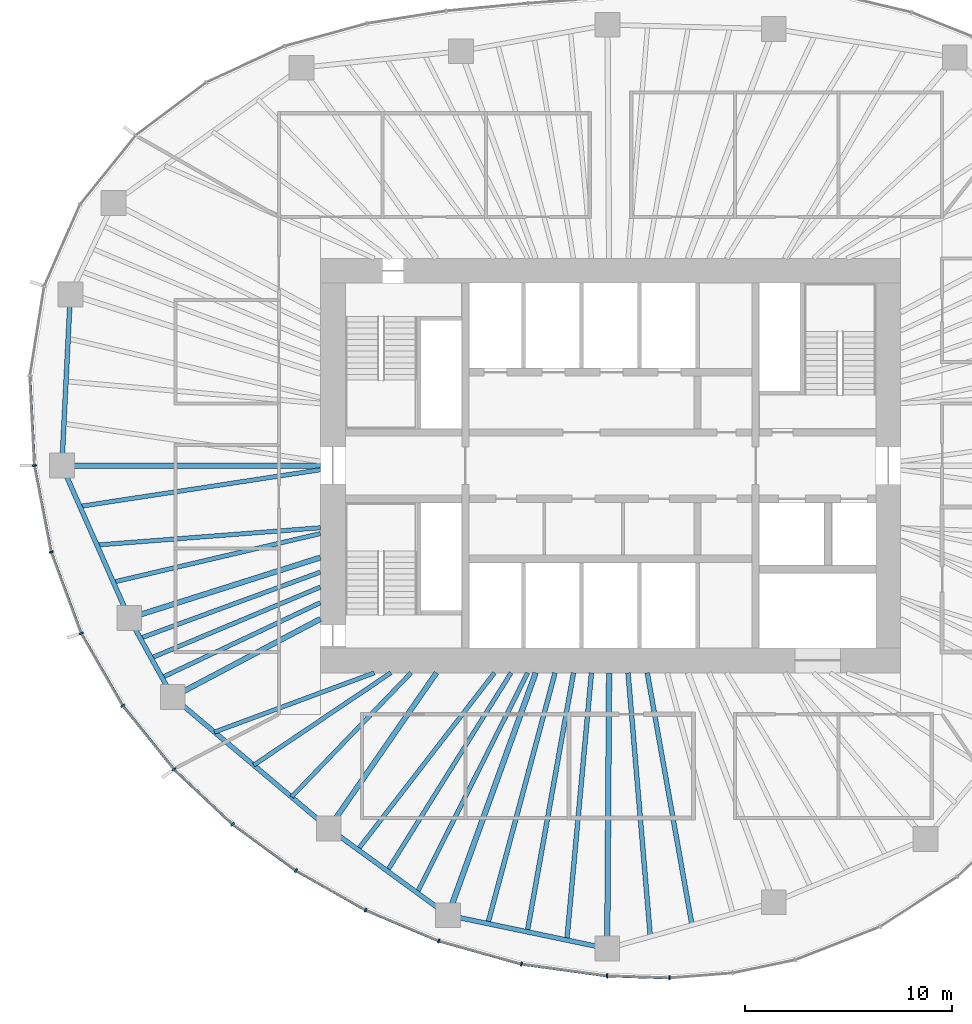
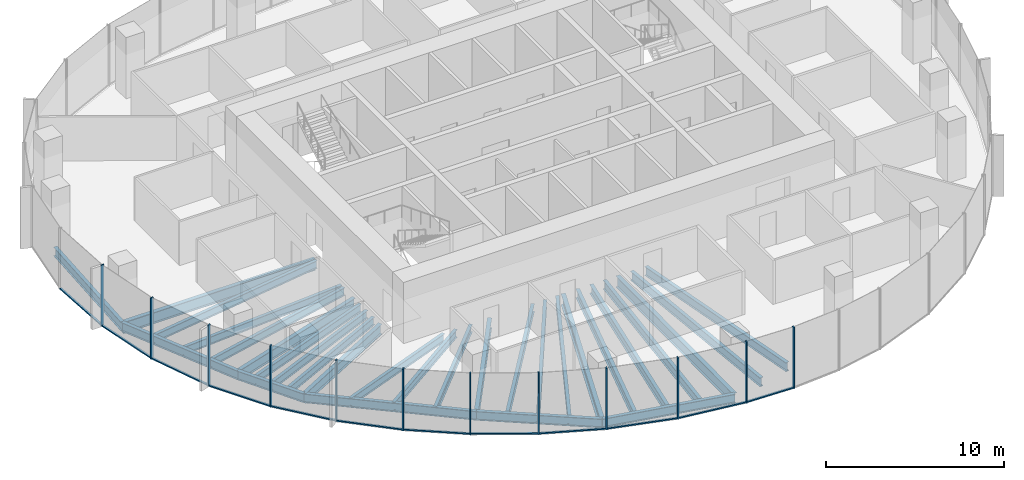
# One storey, part 2 of 12: 29 beams, 24 members, 7 elements without a shape of their own.
"""IFC4 building model written with IfcOpenShell, lengths in metres."""

from ifc_helpers import new_model, si_unit, direction, frame, origin, origin_2d, place, context, subcontext, project, spatial, rectangle, i_section, extrude, material, material_profile, profile_set, type_object, element, aggregate, save


model = new_model("IFC4")

# Units and contexts
model_context = context("Model", 3, precision=1e-05, world=origin(), true_north=direction((0.0, 1.0)))
body_context = subcontext(model_context, "Body", "Model", "MODEL_VIEW")
ifc_project = project(units=[si_unit("LENGTHUNIT", "METRE"), si_unit("AREAUNIT", "SQUARE_METRE"), si_unit("VOLUMEUNIT", "CUBIC_METRE"), si_unit("PLANEANGLEUNIT", "RADIAN"), si_unit("MASSUNIT", "GRAM", prefix="KILO")], contexts=[model_context])

# Site, building, storey
site_placement = place(None, origin())
site = spatial("IfcSite", under=ifc_project, at=site_placement, CompositionType="ELEMENT")
building_placement = place(site_placement, origin())
building = spatial("IfcBuilding", under=site, at=building_placement, Name="Ghaith Harvest Tower", CompositionType="ELEMENT")
storey_placement = place(building_placement, frame((0.0, 0.0, 253.60009765625)))
storey = spatial("IfcBuildingStorey", under=building, at=storey_placement, Name="L56", CompositionType="ELEMENT", Elevation=253.60009765625)

# Curtain wall, members
ifc_material_1 = material(Name="Black anodised aluminium and fritted glass", Category="aluminium")
curtain_wall_type = type_object("IfcCurtainWallType", Name="CW-H CURTAIN WALL", PredefinedType="NOTDEFINED", material=ifc_material_1)
curtain_wall_1_placement = place(storey_placement, origin())
curtain_wall_1 = element("IfcCurtainWall", 1, at=curtain_wall_1_placement, inside=storey, type_object=curtain_wall_type, Name="Curtain wall CW-H bay 11 L56", PredefinedType="NOTDEFINED")
ifc_material_2 = material(Name="Aluminium, black anodised", Category="aluminium")
ifc_material_profile_1 = material_profile(ifc_material_2, rectangle(XDim=0.080078125, YDim=0.199951171875, at=origin_2d()), Name="CW-H MULLION 80x200")
ifc_profile_set_1 = profile_set([ifc_material_profile_1], Name="Aluminium, black anodised")
member_type_1 = type_object("IfcMemberType", Name="CW-H MULLION 80x200", PredefinedType="MULLION", material=ifc_profile_set_1)
member_1_placement = place(storey_placement, frame((-27.794921875, 0.0, 0.0), z_axis=(0.0, 0.0, 1.0), x_axis=(0.12024996575, -0.992743645528, 0.0)))
member_1 = element("IfcMember", 2, at=member_1_placement, type_object=member_type_1, Name="CW-H mullion 1 bay 11 L56", PredefinedType="MULLION", context=body_context, shape_type="SweptSolid", body=[
    extrude(rectangle(XDim=0.080078125, YDim=0.199951171875, at=origin_2d()), origin(), (0.0, 0.0, 1.0), 4.199951171875),
])
member_2_placement = place(storey_placement, frame((-26.9853515625, -4.173828125, 0.0), z_axis=(0.0, 0.0, 1.0), x_axis=(0.268568830903, -0.963260495955, 0.0)))
member_2 = element("IfcMember", 3, at=member_2_placement, type_object=member_type_1, Name="CW-H mullion 2 bay 11 L56", PredefinedType="MULLION", context=body_context, shape_type="SweptSolid", body=[
    extrude(rectangle(XDim=0.080078125, YDim=0.199951171875, at=origin_2d()), origin(), (0.0, 0.0, 1.0), 4.199951171875),
])

curtain_wall_2_placement = place(storey_placement, origin())
curtain_wall_2 = element("IfcCurtainWall", 4, at=curtain_wall_2_placement, inside=storey, type_object=curtain_wall_type, Name="Curtain wall CW-H bay 12 L56", PredefinedType="NOTDEFINED")
member_3_placement = place(storey_placement, frame((-25.538330078125, -8.093505859375, 0.0), z_axis=(0.0, 0.0, 1.0), x_axis=(0.422308650185, -0.906452096903, 0.0)))
member_3 = element("IfcMember", 5, at=member_3_placement, type_object=member_type_1, Name="CW-H mullion 1 bay 12 L56", PredefinedType="MULLION", context=body_context, shape_type="SweptSolid", body=[
    extrude(rectangle(XDim=0.080078125, YDim=0.199951171875, at=origin_2d()), origin(), (0.0, 0.0, 1.0), 4.199951171875),
])
member_4_placement = place(storey_placement, frame((-23.533203125, -11.58349609375, 0.0), z_axis=(0.0, 0.0, 1.0), x_axis=(0.563616546013, -0.826036554312, 0.0)))
member_4 = element("IfcMember", 6, at=member_4_placement, type_object=member_type_1, Name="CW-H mullion 2 bay 12 L56", PredefinedType="MULLION", context=body_context, shape_type="SweptSolid", body=[
    extrude(rectangle(XDim=0.080078125, YDim=0.199951171875, at=origin_2d()), origin(), (0.0, 0.0, 1.0), 4.199951171875),
])

curtain_wall_3_placement = place(storey_placement, origin())
curtain_wall_3 = element("IfcCurtainWall", 7, at=curtain_wall_3_placement, inside=storey, type_object=curtain_wall_type, Name="Curtain wall CW-H bay 13 L56", PredefinedType="NOTDEFINED")
member_5_placement = place(storey_placement, frame((-21.0615234375, -14.65478515625, 0.0), z_axis=(0.0, 0.0, 1.0), x_axis=(0.679181589754, -0.733970277422, 0.0)))
member_5 = element("IfcMember", 8, at=member_5_placement, type_object=member_type_1, Name="CW-H mullion 1 bay 13 L56", PredefinedType="MULLION", context=body_context, shape_type="SweptSolid", body=[
    extrude(rectangle(XDim=0.080078125, YDim=0.199951171875, at=origin_2d()), origin(), (0.0, 0.0, 1.0), 4.199951171875),
])
member_6_placement = place(storey_placement, frame((-18.238037109375, -17.30615234375, 0.0), z_axis=(0.0, 0.0, 1.0), x_axis=(0.769216709506, -0.638987991919, 0.0)))
member_6 = element("IfcMember", 9, at=member_6_placement, type_object=member_type_1, Name="CW-H mullion 2 bay 13 L56", PredefinedType="MULLION", context=body_context, shape_type="SweptSolid", body=[
    extrude(rectangle(XDim=0.080078125, YDim=0.199951171875, at=origin_2d()), origin(), (0.0, 0.0, 1.0), 4.199951171875),
])

curtain_wall_4_placement = place(storey_placement, origin())
curtain_wall_4 = element("IfcCurtainWall", 10, at=curtain_wall_4_placement, inside=storey, type_object=curtain_wall_type, Name="Curtain wall CW-H bay 14 L56", PredefinedType="NOTDEFINED")
member_7_placement = place(storey_placement, frame((-15.177490234375, -19.542724609375, 0.0), z_axis=(0.0, 0.0, 1.0), x_axis=(0.840233591157, -0.5422245958, 0.0)))
member_7 = element("IfcMember", 11, at=member_7_placement, type_object=member_type_1, Name="CW-H mullion 1 bay 14 L56", PredefinedType="MULLION", context=body_context, shape_type="SweptSolid", body=[
    extrude(rectangle(XDim=0.080078125, YDim=0.199951171875, at=origin_2d()), origin(), (0.0, 0.0, 1.0), 4.199951171875),
])
member_8_placement = place(storey_placement, frame((-11.815185546875, -21.45068359375, 0.0), z_axis=(0.0, 0.0, 1.0), x_axis=(0.896852966189, -0.442328788389, 0.0)))
member_8 = element("IfcMember", 12, at=member_8_placement, type_object=member_type_1, Name="CW-H mullion 2 bay 14 L56", PredefinedType="MULLION", context=body_context, shape_type="SweptSolid", body=[
    extrude(rectangle(XDim=0.080078125, YDim=0.199951171875, at=origin_2d()), origin(), (0.0, 0.0, 1.0), 4.199951171875),
])

curtain_wall_5_placement = place(storey_placement, origin())
curtain_wall_5 = element("IfcCurtainWall", 13, at=curtain_wall_5_placement, inside=storey, type_object=curtain_wall_type, Name="Curtain wall CW-H bay 15 L56", PredefinedType="NOTDEFINED")
member_9_placement = place(storey_placement, frame((-8.285888671875, -22.941650390625, 0.0), z_axis=(0.0, 0.0, 1.0), x_axis=(0.944906041636, -0.327341675439, 0.0)))
member_9 = element("IfcMember", 14, at=member_9_placement, type_object=member_type_1, Name="CW-H mullion 1 bay 15 L56", PredefinedType="MULLION", context=body_context, shape_type="SweptSolid", body=[
    extrude(rectangle(XDim=0.080078125, YDim=0.199951171875, at=origin_2d()), origin(), (0.0, 0.0, 1.0), 4.199951171875),
])
member_10_placement = place(storey_placement, frame((-4.2958984375, -24.0556640625, 0.0), z_axis=(0.0, 0.0, 1.0), x_axis=(0.979161388311, -0.203083666601, 0.0)))
member_10 = element("IfcMember", 15, at=member_10_placement, type_object=member_type_1, Name="CW-H mullion 2 bay 15 L56", PredefinedType="MULLION", context=body_context, shape_type="SweptSolid", body=[
    extrude(rectangle(XDim=0.080078125, YDim=0.199951171875, at=origin_2d()), origin(), (0.0, 0.0, 1.0), 4.199951171875),
])

curtain_wall_6_placement = place(storey_placement, origin())
curtain_wall_6 = element("IfcCurtainWall", 16, at=curtain_wall_6_placement, inside=storey, type_object=curtain_wall_type, Name="Curtain wall CW-H bay 16 L56", PredefinedType="NOTDEFINED")
member_11_placement = place(storey_placement, frame((-0.16845703125, -24.625244140625, 0.0), z_axis=(0.0, 0.0, 1.0), x_axis=(0.99568459113, -0.092801912617, 0.0)))
member_11 = element("IfcMember", 17, at=member_11_placement, type_object=member_type_1, Name="CW-H mullion 1 bay 16 L56", PredefinedType="MULLION", context=body_context, shape_type="SweptSolid", body=[
    extrude(rectangle(XDim=0.080078125, YDim=0.199951171875, at=origin_2d()), origin(), (0.0, 0.0, 1.0), 4.199951171875),
])
member_12_placement = place(storey_placement, frame((2.84765625, -24.721435546875, 0.0), z_axis=(0.0, 0.0, 1.0), x_axis=(0.999724413906, 0.02347543907, 0.0)))
member_12 = element("IfcMember", 18, at=member_12_placement, type_object=member_type_1, Name="CW-H mullion 2 bay 16 L56", PredefinedType="MULLION", context=body_context, shape_type="SweptSolid", body=[
    extrude(rectangle(XDim=0.080078125, YDim=0.199951171875, at=origin_2d()), origin(), (0.0, 0.0, 1.0), 4.199951171875),
])

# Curtain wall, member
curtain_wall_7_placement = place(storey_placement, origin())
curtain_wall_7 = element("IfcCurtainWall", 19, at=curtain_wall_7_placement, inside=storey, type_object=curtain_wall_type, Name="Curtain wall CW-H bay 10 L56", PredefinedType="NOTDEFINED")
ifc_material_3 = material(Name="Aluminium, black anodised", Category="aluminium")
ifc_material_profile_2 = material_profile(ifc_material_3, rectangle(XDim=0.1298828125, YDim=0.080078125, at=origin_2d()), Name="CW-H TRANSOM 130x80")
ifc_profile_set_2 = profile_set([ifc_material_profile_2], Name="Aluminium, black anodised")
member_type_2 = type_object("IfcMemberType", Name="CW-H TRANSOM 130x80", PredefinedType="USERDEFINED", material=ifc_profile_set_2)
member_13_placement = place(storey_placement, frame((-28.013671875, 4.293212890625, 0.039794921875), z_axis=(0.05084969311, -0.998706317548, 0.0), x_axis=(0.998706317548, 0.05084969311, 0.0)))
member_13 = element("IfcMember", 20, at=member_13_placement, type_object=member_type_2, Name="CW-H transom 2 bay 10 L56", ObjectType="TRANSOM", PredefinedType="USERDEFINED", context=body_context, shape_type="SweptSolid", body=[
    extrude(rectangle(XDim=0.1298828125, YDim=0.080078125, at=origin_2d()), origin(), (0.0, 0.0, 1.0), 4.2587890625),
])
aggregate(curtain_wall_7, [member_13])

# Member
member_14_placement = place(storey_placement, frame((-27.787353515625, -0.039306640625, 0.039794921875), z_axis=(0.190440428338, -0.981698753821, 0.0), x_axis=(0.981698753821, 0.190440428338, 0.0)))
member_14 = element("IfcMember", 21, at=member_14_placement, type_object=member_type_2, Name="CW-H transom 1 bay 11 L56", ObjectType="TRANSOM", PredefinedType="USERDEFINED", context=body_context, shape_type="SweptSolid", body=[
    extrude(rectangle(XDim=0.1298828125, YDim=0.080078125, at=origin_2d()), origin(), (0.0, 0.0, 1.0), 4.171630859375),
])

member_15_placement = place(storey_placement, frame((-26.971435546875, -4.21142578125, 0.039794921875), z_axis=(0.346287782987, -0.93812833416, 0.0), x_axis=(0.93812833416, 0.346287782987, 0.0)))
member_15 = element("IfcMember", 22, at=member_15_placement, type_object=member_type_2, Name="CW-H transom 2 bay 11 L56", ObjectType="TRANSOM", PredefinedType="USERDEFINED", context=body_context, shape_type="SweptSolid", body=[
    extrude(rectangle(XDim=0.1298828125, YDim=0.080078125, at=origin_2d()), origin(), (0.0, 0.0, 1.0), 4.098388671875),
])

aggregate(curtain_wall_1, [member_1, member_14, member_2, member_15])

member_16_placement = place(storey_placement, frame((-25.5185546875, -8.128173828125, 0.039794921875), z_axis=(0.498176929488, -0.86707539864, 0.0), x_axis=(0.86707539864, 0.498176929488, 0.0)))
member_16 = element("IfcMember", 23, at=member_16_placement, type_object=member_type_2, Name="CW-H transom 1 bay 12 L56", ObjectType="TRANSOM", PredefinedType="USERDEFINED", context=body_context, shape_type="SweptSolid", body=[
    extrude(rectangle(XDim=0.1298828125, YDim=0.080078125, at=origin_2d()), origin(), (0.0, 0.0, 1.0), 3.945068359375),
])

member_17_placement = place(storey_placement, frame((-23.508056640625, -11.61474609375, 0.039794921875), z_axis=(0.626958878139, -0.779052350694, 0.0), x_axis=(0.779052350694, 0.626958878139, 0.0)))
member_17 = element("IfcMember", 24, at=member_17_placement, type_object=member_type_2, Name="CW-H transom 2 bay 12 L56", ObjectType="TRANSOM", PredefinedType="USERDEFINED", context=body_context, shape_type="SweptSolid", body=[
    extrude(rectangle(XDim=0.1298828125, YDim=0.080078125, at=origin_2d()), origin(), (0.0, 0.0, 1.0), 3.862060546875),
])

aggregate(curtain_wall_2, [member_3, member_16, member_4, member_17])

member_18_placement = place(storey_placement, frame((-21.032470703125, -14.68212890625, 0.039794921875), z_axis=(0.729025183709, -0.684486874613, 0.0), x_axis=(0.684486874613, 0.729025183709, 0.0)))
member_18 = element("IfcMember", 25, at=member_18_placement, type_object=member_type_2, Name="CW-H transom 1 bay 13 L56", ObjectType="TRANSOM", PredefinedType="USERDEFINED", context=body_context, shape_type="SweptSolid", body=[
    extrude(rectangle(XDim=0.1298828125, YDim=0.080078125, at=origin_2d()), origin(), (0.0, 0.0, 1.0), 3.793212890625),
])

member_19_placement = place(storey_placement, frame((-18.20556640625, -17.32958984375, 0.039794921875), z_axis=(0.807368217185, -0.590047931849, 0.0), x_axis=(0.590047931849, 0.807368217185, 0.0)))
member_19 = element("IfcMember", 26, at=member_19_placement, type_object=member_type_2, Name="CW-H transom 2 bay 13 L56", ObjectType="TRANSOM", PredefinedType="USERDEFINED", context=body_context, shape_type="SweptSolid", body=[
    extrude(rectangle(XDim=0.1298828125, YDim=0.080078125, at=origin_2d()), origin(), (0.0, 0.0, 1.0), 3.710693359375),
])

aggregate(curtain_wall_3, [member_5, member_18, member_6, member_19])

member_20_placement = place(storey_placement, frame((-15.142822265625, -19.5625, 0.039794921875), z_axis=(0.869735291487, -0.493518513068, 0.0), x_axis=(0.493518513068, 0.869735291487, 0.0)))
member_20 = element("IfcMember", 27, at=member_20_placement, type_object=member_type_2, Name="CW-H transom 1 bay 14 L56", ObjectType="TRANSOM", PredefinedType="USERDEFINED", context=body_context, shape_type="SweptSolid", body=[
    extrude(rectangle(XDim=0.1298828125, YDim=0.080078125, at=origin_2d()), origin(), (0.0, 0.0, 1.0), 3.785888671875),
])

member_21_placement = place(storey_placement, frame((-11.7783203125, -21.46630859375, 0.039794921875), z_axis=(0.921182691948, -0.38913037411, 0.0), x_axis=(0.38913037411, 0.921182691948, 0.0)))
member_21 = element("IfcMember", 28, at=member_21_placement, type_object=member_type_2, Name="CW-H transom 2 bay 14 L56", ObjectType="TRANSOM", PredefinedType="USERDEFINED", context=body_context, shape_type="SweptSolid", body=[
    extrude(rectangle(XDim=0.1298828125, YDim=0.080078125, at=origin_2d()), origin(), (0.0, 0.0, 1.0), 3.751220703125),
])

aggregate(curtain_wall_4, [member_7, member_20, member_8, member_21])

member_22_placement = place(storey_placement, frame((-8.24755859375, -22.952392578125, 0.039794921875), z_axis=(0.963164092269, -0.268914356932, 0.0), x_axis=(0.268914356932, 0.963164092269, 0.0)))
member_22 = element("IfcMember", 29, at=member_22_placement, type_object=member_type_2, Name="CW-H transom 1 bay 15 L56", ObjectType="TRANSOM", PredefinedType="USERDEFINED", context=body_context, shape_type="SweptSolid", body=[
    extrude(rectangle(XDim=0.1298828125, YDim=0.080078125, at=origin_2d()), origin(), (0.0, 0.0, 1.0), 4.062744140625),
])

member_23_placement = place(storey_placement, frame((-4.25634765625, -24.06103515625, 0.039794921875), z_axis=(0.990605228149, -0.136752630555, 0.0), x_axis=(0.136752630555, 0.990605228149, 0.0)))
member_23 = element("IfcMember", 30, at=member_23_placement, type_object=member_type_2, Name="CW-H transom 2 bay 15 L56", ObjectType="TRANSOM", PredefinedType="USERDEFINED", context=body_context, shape_type="SweptSolid", body=[
    extrude(rectangle(XDim=0.1298828125, YDim=0.080078125, at=origin_2d()), origin(), (0.0, 0.0, 1.0), 4.08642578125),
])

aggregate(curtain_wall_5, [member_9, member_22, member_10, member_23])

member_24_placement = place(storey_placement, frame((-0.128662109375, -24.62646484375, 0.039794921875), z_axis=(0.999490770233, -0.031909249731, 0.0), x_axis=(0.031909249731, 0.999490770233, 0.0)))
member_24 = element("IfcMember", 31, at=member_24_placement, type_object=member_type_2, Name="CW-H transom 1 bay 16 L56", ObjectType="TRANSOM", PredefinedType="USERDEFINED", context=body_context, shape_type="SweptSolid", body=[
    extrude(rectangle(XDim=0.1298828125, YDim=0.080078125, at=origin_2d()), origin(), (0.0, 0.0, 1.0), 2.93798828125),
])

aggregate(curtain_wall_6, [member_11, member_24, member_12])

# Beams
ifc_material_4 = material(Name="Steel ASTM A992 Grade 50", Category="steel")
ifc_material_profile_3 = material_profile(ifc_material_4, i_section(OverallWidth=0.22900390625, OverallDepth=0.612060546875, WebThickness=0.011962890625, FlangeThickness=0.01953125, at=origin_2d()), Name="W610X125")
ifc_profile_set_3 = profile_set([ifc_material_profile_3], Name="Steel ASTM A992 Grade 50")
beam_type_1 = type_object("IfcBeamType", Name="E610-125 W610X125", PredefinedType="SPANDREL", material=ifc_profile_set_3)
beam_1_placement = place(storey_placement, frame((-26.06689453125, 8.260986328125, -0.47607421875), z_axis=(-0.049353148492, -0.998781390863, 0.0), x_axis=(0.998781390863, -0.049353148492, 0.0)))
element("IfcBeam", 32, at=beam_1_placement, inside=storey, type_object=beam_type_1, Name="Edge beam E10 L56", PredefinedType="SPANDREL", context=body_context, shape_type="SweptSolid", body=[
    extrude(i_section(OverallWidth=0.22900390625, OverallDepth=0.612060546875, WebThickness=0.011962890625, FlangeThickness=0.01953125, at=origin_2d()), origin(), (0.0, 0.0, 1.0), 8.27099609375),
])
beam_2_placement = place(storey_placement, frame((-26.47509765625, 0.0, -0.47607421875), z_axis=(0.404042817399, -0.914740073304, 0.0), x_axis=(0.914740073304, 0.404042817399, 0.0)))
element("IfcBeam", 33, at=beam_2_placement, inside=storey, type_object=beam_type_1, Name="Edge beam E11 L56", PredefinedType="SPANDREL", context=body_context, shape_type="SweptSolid", body=[
    extrude(i_section(OverallWidth=0.22900390625, OverallDepth=0.612060546875, WebThickness=0.011962890625, FlangeThickness=0.01953125, at=origin_2d()), origin(), (0.0, 0.0, 1.0), 8.046142578125),
])
beam_3_placement = place(storey_placement, frame((-23.22412109375, -7.360107421875, -0.47607421875), z_axis=(0.482955575345, -0.875644855089, 0.0), x_axis=(0.875644855089, 0.482955575345, 0.0)))
element("IfcBeam", 34, at=beam_3_placement, inside=storey, type_object=beam_type_1, Name="Edge beam E12 L56", PredefinedType="SPANDREL", context=body_context, shape_type="SweptSolid", body=[
    extrude(i_section(OverallWidth=0.22900390625, OverallDepth=0.612060546875, WebThickness=0.011962890625, FlangeThickness=0.01953125, at=origin_2d()), origin(), (0.0, 0.0, 1.0), 4.346435546875),
])
beam_4_placement = place(storey_placement, frame((-21.125, -11.166015625, -0.47607421875), z_axis=(0.765021818761, -0.64400436087, 0.0), x_axis=(0.64400436087, 0.765021818761, 0.0)))
element("IfcBeam", 35, at=beam_4_placement, inside=storey, type_object=beam_type_1, Name="Edge beam E13 L56", PredefinedType="SPANDREL", context=body_context, shape_type="SweptSolid", body=[
    extrude(i_section(OverallWidth=0.22900390625, OverallDepth=0.612060546875, WebThickness=0.011962890625, FlangeThickness=0.01953125, at=origin_2d()), origin(), (0.0, 0.0, 1.0), 9.8427734375),
])
beam_5_placement = place(storey_placement, frame((-13.594970703125, -17.5048828125, -0.47607421875), z_axis=(0.808194782503, -0.588915268553, 0.0), x_axis=(0.588915268553, 0.808194782503, 0.0)))
element("IfcBeam", 36, at=beam_5_placement, inside=storey, type_object=beam_type_1, Name="Edge beam E14 L56", PredefinedType="SPANDREL", context=body_context, shape_type="SweptSolid", body=[
    extrude(i_section(OverallWidth=0.22900390625, OverallDepth=0.612060546875, WebThickness=0.011962890625, FlangeThickness=0.01953125, at=origin_2d()), origin(), (0.0, 0.0, 1.0), 7.123291015625),
])
beam_6_placement = place(storey_placement, frame((-7.837890625, -21.699951171875, -0.47607421875), z_axis=(0.978847910797, -0.20458926543, 0.0), x_axis=(0.20458926543, 0.978847910797, 0.0)))
element("IfcBeam", 37, at=beam_6_placement, inside=storey, type_object=beam_type_1, Name="Edge beam E15 L56", PredefinedType="SPANDREL", context=body_context, shape_type="SweptSolid", body=[
    extrude(i_section(OverallWidth=0.22900390625, OverallDepth=0.612060546875, WebThickness=0.011962890625, FlangeThickness=0.01953125, at=origin_2d()), origin(), (0.0, 0.0, 1.0), 7.844970703125),
])
ifc_material_5 = material(Name="Steel ASTM A992 Grade 50", Category="steel")
ifc_material_profile_4 = material_profile(ifc_material_5, i_section(OverallWidth=0.256103515625, OverallDepth=0.693115234375, WebThickness=0.014404296875, FlangeThickness=0.023681640625, at=origin_2d()), Name="W690X170")
ifc_profile_set_4 = profile_set([ifc_material_profile_4], Name="Steel ASTM A992 Grade 50")
beam_type_2 = type_object("IfcBeamType", Name="G690-170 W690X170", PredefinedType="BEAM", material=ifc_profile_set_4)
beam_7_placement = place(storey_placement, frame((-14.0, -4.43701171875, -0.5166015625), z_axis=(-0.953279028151, -0.302091202267, 0.0), x_axis=(0.302091202267, -0.953279028151, 0.0)))
element("IfcBeam", 38, at=beam_7_placement, inside=storey, type_object=beam_type_2, Name="Radial girder G12 L56", PredefinedType="BEAM", context=body_context, shape_type="SweptSolid", body=[
    extrude(i_section(OverallWidth=0.256103515625, OverallDepth=0.693115234375, WebThickness=0.014404296875, FlangeThickness=0.023681640625, at=origin_2d()), origin(), (0.0, 0.0, 1.0), 9.67626953125),
])
beam_8_placement = place(storey_placement, frame((-14.0, -7.39990234375, -0.5166015625), z_axis=(-0.88409279474, -0.46731138472, 0.0), x_axis=(0.46731138472, -0.88409279474, 0.0)))
element("IfcBeam", 39, at=beam_8_placement, inside=storey, type_object=beam_type_2, Name="Radial girder G13 L56", PredefinedType="BEAM", context=body_context, shape_type="SweptSolid", body=[
    extrude(i_section(OverallWidth=0.256103515625, OverallDepth=0.693115234375, WebThickness=0.014404296875, FlangeThickness=0.023681640625, at=origin_2d()), origin(), (0.0, 0.0, 1.0), 8.05908203125),
])
beam_9_placement = place(storey_placement, frame((-8.39990234375, -10.0, -0.5166015625), z_axis=(-0.569164078909, -0.822223966617, 0.0), x_axis=(0.822223966617, -0.569164078909, 0.0)))
element("IfcBeam", 40, at=beam_9_placement, inside=storey, type_object=beam_type_2, Name="Radial girder G14 L56", PredefinedType="BEAM", context=body_context, shape_type="SweptSolid", body=[
    extrude(i_section(OverallWidth=0.256103515625, OverallDepth=0.693115234375, WebThickness=0.014404296875, FlangeThickness=0.023681640625, at=origin_2d()), origin(), (0.0, 0.0, 1.0), 9.12744140625),
])
ifc_material_6 = material(Name="Steel ASTM A992 Grade 50", Category="steel")
ifc_material_profile_5 = material_profile(ifc_material_6, i_section(OverallWidth=0.26806640625, OverallDepth=0.77001953125, WebThickness=0.015625, FlangeThickness=0.025390625, at=origin_2d()), Name="W760X196")
ifc_profile_set_5 = profile_set([ifc_material_profile_5], Name="Steel ASTM A992 Grade 50")
beam_type_3 = type_object("IfcBeamType", Name="G760-196 W760X196", PredefinedType="BEAM", material=ifc_profile_set_5)
beam_10_placement = place(storey_placement, frame((-14.0, 0.0, -0.55517578125), z_axis=(-1.0, 0.0, 0.0), x_axis=(0.0, -1.0, 0.0)))
element("IfcBeam", 41, at=beam_10_placement, inside=storey, type_object=beam_type_3, Name="Radial girder G11 L56", PredefinedType="BEAM", context=body_context, shape_type="SweptSolid", body=[
    extrude(i_section(OverallWidth=0.26806640625, OverallDepth=0.77001953125, WebThickness=0.015625, FlangeThickness=0.025390625, at=origin_2d()), origin(), (0.0, 0.0, 1.0), 12.47509765625),
])
beam_11_placement = place(storey_placement, frame((-3.61181640625, -10.0, -0.55517578125), z_axis=(-0.339722108335, -0.940525857756, 0.0), x_axis=(0.940525857756, -0.339722108335, 0.0)))
element("IfcBeam", 42, at=beam_11_placement, inside=storey, type_object=beam_type_3, Name="Radial girder G15 L56", PredefinedType="BEAM", context=body_context, shape_type="SweptSolid", body=[
    extrude(i_section(OverallWidth=0.26806640625, OverallDepth=0.77001953125, WebThickness=0.015625, FlangeThickness=0.025390625, at=origin_2d()), origin(), (0.0, 0.0, 1.0), 12.439697265625),
])
beam_12_placement = place(storey_placement, frame((-0.068359375, -10.0, -0.55517578125), z_axis=(-0.00680755644, -0.999976828319, 0.0), x_axis=(0.999976828319, -0.00680755644, 0.0)))
element("IfcBeam", 43, at=beam_12_placement, inside=storey, type_object=beam_type_3, Name="Radial girder G16 L56", PredefinedType="BEAM", context=body_context, shape_type="SweptSolid", body=[
    extrude(i_section(OverallWidth=0.26806640625, OverallDepth=0.77001953125, WebThickness=0.015625, FlangeThickness=0.025390625, at=origin_2d()), origin(), (0.0, 0.0, 1.0), 13.30517578125),
])
ifc_material_7 = material(Name="Steel ASTM A992 Grade 50", Category="steel")
ifc_material_profile_6 = material_profile(ifc_material_7, i_section(OverallWidth=0.2109375, OverallDepth=0.5390625, WebThickness=0.01171875, FlangeThickness=0.018798828125, at=origin_2d()), Name="W530X109")
ifc_profile_set_6 = profile_set([ifc_material_profile_6], Name="Steel ASTM A992 Grade 50")
beam_type_4 = type_object("IfcBeamType", Name="J530-109 W530X109", PredefinedType="JOIST", material=ifc_profile_set_6)
beam_13_placement = place(storey_placement, frame((-14.0, -0.199951171875, -0.439697265625), z_axis=(-0.988587077715, -0.150650555178, 0.0), x_axis=(0.150650555178, -0.988587077715, 0.0)))
element("IfcBeam", 44, at=beam_13_placement, inside=storey, type_object=beam_type_4, Name="Joist J11.1 L56", PredefinedType="JOIST", context=body_context, shape_type="SweptSolid", body=[
    extrude(i_section(OverallWidth=0.2109375, OverallDepth=0.5390625, WebThickness=0.01171875, FlangeThickness=0.018798828125, at=origin_2d()), origin(), (0.0, 0.0, 1.0), 11.739501953125),
])
beam_14_placement = place(storey_placement, frame((-14.0, -3.0, -0.439697265625), z_axis=(-0.997028799301, -0.077029691443, 0.0), x_axis=(0.077029691443, -0.997028799301, 0.0)))
element("IfcBeam", 45, at=beam_14_placement, inside=storey, type_object=beam_type_4, Name="Joist J11.2 L56", PredefinedType="JOIST", context=body_context, shape_type="SweptSolid", body=[
    extrude(i_section(OverallWidth=0.2109375, OverallDepth=0.5390625, WebThickness=0.01171875, FlangeThickness=0.018798828125, at=origin_2d()), origin(), (0.0, 0.0, 1.0), 10.814208984375),
])
beam_15_placement = place(storey_placement, frame((-14.0, -3.280517578125, -0.439697265625), z_axis=(-0.97362176086, -0.22816806696, 0.0), x_axis=(0.22816806696, -0.97362176086, 0.0)))
element("IfcBeam", 46, at=beam_15_placement, inside=storey, type_object=beam_type_4, Name="Joist J11.3 L56", PredefinedType="JOIST", context=body_context, shape_type="SweptSolid", body=[
    extrude(i_section(OverallWidth=0.2109375, OverallDepth=0.5390625, WebThickness=0.01171875, FlangeThickness=0.018798828125, at=origin_2d()), origin(), (0.0, 0.0, 1.0), 10.262451171875),
])
beam_16_placement = place(storey_placement, frame((-5.60009765625, -10.0, -0.439697265625), z_axis=(-0.611412687895, -0.791311901264, 0.0), x_axis=(0.791311901264, -0.611412687895, 0.0)))
element("IfcBeam", 47, at=beam_16_placement, inside=storey, type_object=beam_type_4, Name="Joist J14.1 L56", PredefinedType="JOIST", context=body_context, shape_type="SweptSolid", body=[
    extrude(i_section(OverallWidth=0.2109375, OverallDepth=0.5390625, WebThickness=0.01171875, FlangeThickness=0.018798828125, at=origin_2d()), origin(), (0.0, 0.0, 1.0), 10.778076171875),
])
beam_17_placement = place(storey_placement, frame((-4.800048828125, -10.0, -0.439697265625), z_axis=(-0.529921073682, -0.848046965484, 0.0), x_axis=(0.848046965484, -0.529921073682, 0.0)))
element("IfcBeam", 48, at=beam_17_placement, inside=storey, type_object=beam_type_4, Name="Joist J14.2 L56", PredefinedType="JOIST", context=body_context, shape_type="SweptSolid", body=[
    extrude(i_section(OverallWidth=0.2109375, OverallDepth=0.5390625, WebThickness=0.01171875, FlangeThickness=0.018798828125, at=origin_2d()), origin(), (0.0, 0.0, 1.0), 11.273681640625),
])
beam_18_placement = place(storey_placement, frame((-4.0, -10.0, -0.439697265625), z_axis=(-0.448791718068, -0.893636387908, 0.0), x_axis=(0.893636387908, -0.448791718068, 0.0)))
element("IfcBeam", 49, at=beam_18_placement, inside=storey, type_object=beam_type_4, Name="Joist J14.3 L56", PredefinedType="JOIST", context=body_context, shape_type="SweptSolid", body=[
    extrude(i_section(OverallWidth=0.2109375, OverallDepth=0.5390625, WebThickness=0.01171875, FlangeThickness=0.018798828125, at=origin_2d()), origin(), (0.0, 0.0, 1.0), 11.8759765625),
])
ifc_material_8 = material(Name="Steel ASTM A992 Grade 50", Category="steel")
ifc_material_profile_7 = material_profile(ifc_material_8, i_section(OverallWidth=0.208984375, OverallDepth=0.532958984375, WebThickness=0.01025390625, FlangeThickness=0.015625, at=origin_2d()), Name="W530X92")
ifc_profile_set_7 = profile_set([ifc_material_profile_7], Name="Steel ASTM A992 Grade 50")
beam_type_5 = type_object("IfcBeamType", Name="J530-92 W530X92", PredefinedType="JOIST", material=ifc_profile_set_7)
beam_19_placement = place(storey_placement, frame((-14.0, -5.137939453125, -0.4365234375), z_axis=(-0.93877284801, -0.34453670318, 0.0), x_axis=(0.34453670318, -0.93877284801, 0.0)))
element("IfcBeam", 50, at=beam_19_placement, inside=storey, type_object=beam_type_5, Name="Joist J12.1 L56", PredefinedType="JOIST", context=body_context, shape_type="SweptSolid", body=[
    extrude(i_section(OverallWidth=0.208984375, OverallDepth=0.532958984375, WebThickness=0.01025390625, FlangeThickness=0.015625, at=origin_2d()), origin(), (0.0, 0.0, 1.0), 9.25732421875),
])
beam_20_placement = place(storey_placement, frame((-14.0, -5.862548828125, -0.4365234375), z_axis=(-0.922387515293, -0.386265804377, 0.0), x_axis=(0.386265804377, -0.922387515293, 0.0)))
element("IfcBeam", 51, at=beam_20_placement, inside=storey, type_object=beam_type_5, Name="Joist J12.2 L56", PredefinedType="JOIST", context=body_context, shape_type="SweptSolid", body=[
    extrude(i_section(OverallWidth=0.208984375, OverallDepth=0.532958984375, WebThickness=0.01025390625, FlangeThickness=0.015625, at=origin_2d()), origin(), (0.0, 0.0, 1.0), 8.851318359375),
])
beam_21_placement = place(storey_placement, frame((-14.0, -6.614990234375, -0.4365234375), z_axis=(-0.90415786724, -0.427198491462, 0.0), x_axis=(0.427198491462, -0.90415786724, 0.0)))
element("IfcBeam", 52, at=beam_21_placement, inside=storey, type_object=beam_type_5, Name="Joist J12.3 L56", PredefinedType="JOIST", context=body_context, shape_type="SweptSolid", body=[
    extrude(i_section(OverallWidth=0.208984375, OverallDepth=0.532958984375, WebThickness=0.01025390625, FlangeThickness=0.015625, at=origin_2d()), origin(), (0.0, 0.0, 1.0), 8.45361328125),
])
beam_22_placement = place(storey_placement, frame((-11.39990234375, -10.0, -0.4365234375), z_axis=(-0.937594001899, -0.34773191916, 0.0), x_axis=(0.34773191916, -0.937594001899, 0.0)))
element("IfcBeam", 53, at=beam_22_placement, inside=storey, type_object=beam_type_5, Name="Joist J13.1 L56", PredefinedType="JOIST", context=body_context, shape_type="SweptSolid", body=[
    extrude(i_section(OverallWidth=0.208984375, OverallDepth=0.532958984375, WebThickness=0.01025390625, FlangeThickness=0.015625, at=origin_2d()), origin(), (0.0, 0.0, 1.0), 8.225830078125),
])
beam_23_placement = place(storey_placement, frame((-10.60009765625, -10.0, -0.4365234375), z_axis=(-0.829594017544, -0.55836705316, 0.0), x_axis=(0.55836705316, -0.829594017544, 0.0)))
element("IfcBeam", 54, at=beam_23_placement, inside=storey, type_object=beam_type_5, Name="Joist J13.2 L56", PredefinedType="JOIST", context=body_context, shape_type="SweptSolid", body=[
    extrude(i_section(OverallWidth=0.208984375, OverallDepth=0.532958984375, WebThickness=0.01025390625, FlangeThickness=0.015625, at=origin_2d()), origin(), (0.0, 0.0, 1.0), 7.977783203125),
])
beam_24_placement = place(storey_placement, frame((-9.626708984375, -10.0, -0.4365234375), z_axis=(-0.693546892509, -0.720411485119, 0.0), x_axis=(0.720411485119, -0.693546892509, 0.0)))
element("IfcBeam", 55, at=beam_24_placement, inside=storey, type_object=beam_type_5, Name="Joist J13.3 L56", PredefinedType="JOIST", context=body_context, shape_type="SweptSolid", body=[
    extrude(i_section(OverallWidth=0.208984375, OverallDepth=0.532958984375, WebThickness=0.01025390625, FlangeThickness=0.015625, at=origin_2d()), origin(), (0.0, 0.0, 1.0), 8.3154296875),
])
ifc_material_9 = material(Name="Steel ASTM A992 Grade 50", Category="steel")
ifc_material_profile_8 = material_profile(ifc_material_9, i_section(OverallWidth=0.22900390625, OverallDepth=0.612060546875, WebThickness=0.011962890625, FlangeThickness=0.01953125, at=origin_2d()), Name="W610X125")
ifc_profile_set_8 = profile_set([ifc_material_profile_8], Name="Steel ASTM A992 Grade 50")
beam_type_6 = type_object("IfcBeamType", Name="J610-125 W610X125", PredefinedType="JOIST", material=ifc_profile_set_8)
beam_25_placement = place(storey_placement, frame((-2.677978515625, -10.0, -0.47607421875), z_axis=(-0.258683807585, -0.965962052926, 0.0), x_axis=(0.965962052926, -0.258683807585, 0.0)))
element("IfcBeam", 56, at=beam_25_placement, inside=storey, type_object=beam_type_6, Name="Joist J15.1 L56", PredefinedType="JOIST", context=body_context, shape_type="SweptSolid", body=[
    extrude(i_section(OverallWidth=0.22900390625, OverallDepth=0.612060546875, WebThickness=0.011962890625, FlangeThickness=0.01953125, at=origin_2d()), origin(), (0.0, 0.0, 1.0), 12.52783203125),
])
beam_26_placement = place(storey_placement, frame((-1.785888671875, -10.0, -0.47607421875), z_axis=(-0.17579463172, -0.984426862422, 0.0), x_axis=(0.984426862422, -0.17579463172, 0.0)))
element("IfcBeam", 57, at=beam_26_placement, inside=storey, type_object=beam_type_6, Name="Joist J15.2 L56", PredefinedType="JOIST", context=body_context, shape_type="SweptSolid", body=[
    extrude(i_section(OverallWidth=0.22900390625, OverallDepth=0.612060546875, WebThickness=0.011962890625, FlangeThickness=0.01953125, at=origin_2d()), origin(), (0.0, 0.0, 1.0), 12.6962890625),
])
beam_27_placement = place(storey_placement, frame((-0.92041015625, -10.0, -0.47607421875), z_axis=(-0.091645483251, -0.995791697796, 0.0), x_axis=(0.995791697796, -0.091645483251, 0.0)))
element("IfcBeam", 58, at=beam_27_placement, inside=storey, type_object=beam_type_6, Name="Joist J15.3 L56", PredefinedType="JOIST", context=body_context, shape_type="SweptSolid", body=[
    extrude(i_section(OverallWidth=0.22900390625, OverallDepth=0.612060546875, WebThickness=0.011962890625, FlangeThickness=0.01953125, at=origin_2d()), origin(), (0.0, 0.0, 1.0), 12.9521484375),
])
beam_28_placement = place(storey_placement, frame((0.844970703125, -10.0, -0.47607421875), z_axis=(0.084217590158, -0.996447388229, 0.0), x_axis=(0.996447388229, 0.084217590158, 0.0)))
element("IfcBeam", 59, at=beam_28_placement, inside=storey, type_object=beam_type_6, Name="Joist J16.1 L56", PredefinedType="JOIST", context=body_context, shape_type="SweptSolid", body=[
    extrude(i_section(OverallWidth=0.22900390625, OverallDepth=0.612060546875, WebThickness=0.011962890625, FlangeThickness=0.01953125, at=origin_2d()), origin(), (0.0, 0.0, 1.0), 12.772705078125),
])
beam_29_placement = place(storey_placement, frame((1.772705078125, -10.0, -0.47607421875), z_axis=(0.174551600477, -0.984648027861, 0.0), x_axis=(0.984648027861, 0.174551600477, 0.0)))
element("IfcBeam", 60, at=beam_29_placement, inside=storey, type_object=beam_type_6, Name="Joist J16.2 L56", PredefinedType="JOIST", context=body_context, shape_type="SweptSolid", body=[
    extrude(i_section(OverallWidth=0.22900390625, OverallDepth=0.612060546875, WebThickness=0.011962890625, FlangeThickness=0.01953125, at=origin_2d()), origin(), (0.0, 0.0, 1.0), 12.358642578125),
])

save(model, "model.ifc")
